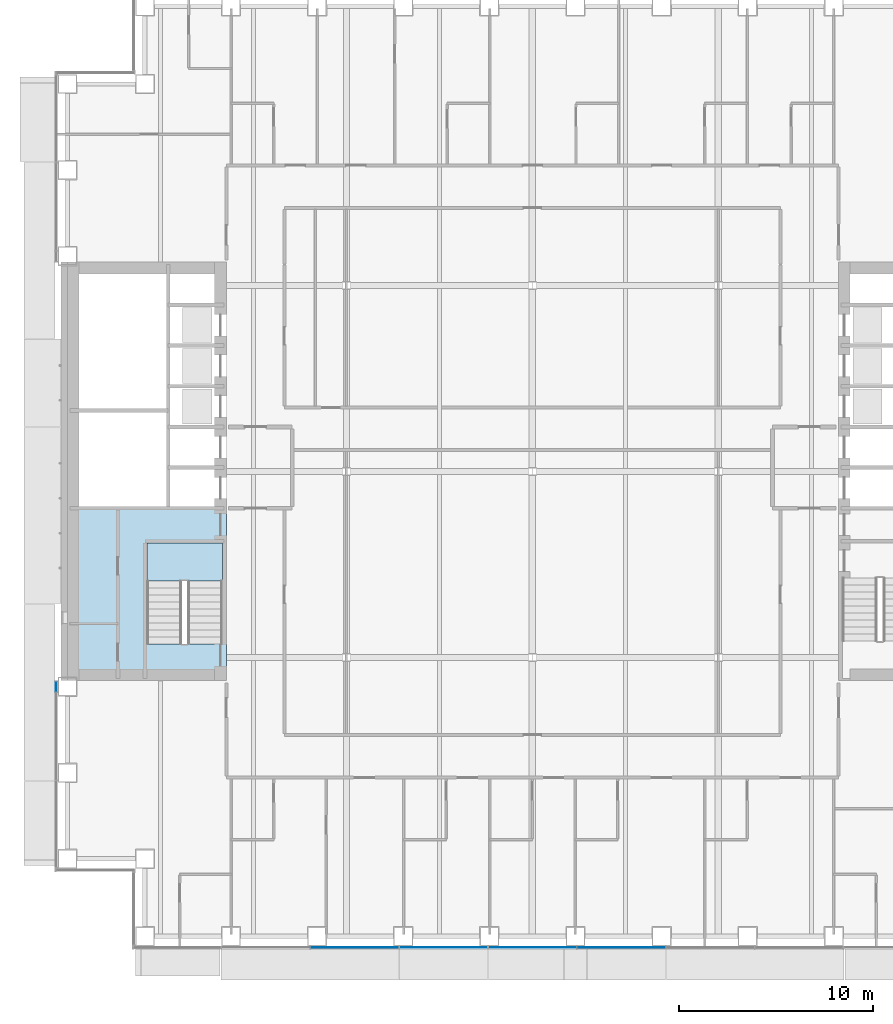
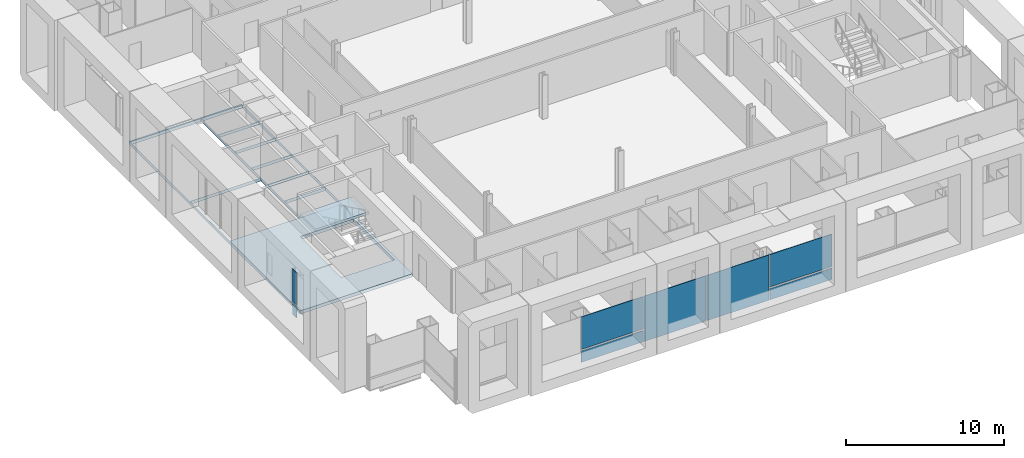
# One storey, part 11 of 25: 8 plates, 2 slabs, 3 elements without a shape of their own.
"""IFC4 building model written with IfcOpenShell, lengths in metres."""

from ifc_helpers import new_model, si_unit, direction, frame, origin, origin_2d, place, context, subcontext, project, spatial, polyline, rectangle, outline, extrude, material, layer, layer_set, type_object, element, aggregate, save


model = new_model("IFC4")

# Units and contexts
model_context = context("Model", 3, precision=1e-05, world=origin(), true_north=direction((0.0, 1.0)))
body_context = subcontext(model_context, "Body", "Model", "MODEL_VIEW")
ifc_project = project(units=[si_unit("LENGTHUNIT", "METRE"), si_unit("AREAUNIT", "SQUARE_METRE"), si_unit("VOLUMEUNIT", "CUBIC_METRE"), si_unit("PLANEANGLEUNIT", "RADIAN"), si_unit("MASSUNIT", "GRAM", prefix="KILO")], contexts=[model_context])

# Site, building, storey
site_placement = place(None, origin())
site = spatial("IfcSite", under=ifc_project, at=site_placement, CompositionType="ELEMENT")
building_placement = place(site_placement, origin())
building = spatial("IfcBuilding", under=site, at=building_placement, Name="Cobrizo Arcos Hotel Tower", CompositionType="ELEMENT")
storey_placement = place(building_placement, frame((0.0, 0.0, 46.0)))
storey = spatial("IfcBuildingStorey", under=building, at=storey_placement, Name="L09", CompositionType="ELEMENT", Elevation=46.0)

# Curtain wall, plates
ifc_material_1 = material(Name="Aluminium 6063-T6 anodised bronze", Category="aluminium")
curtain_wall_type = type_object("IfcCurtainWallType", Name="CW-A guest facade", PredefinedType="NOTDEFINED", material=ifc_material_1)
curtain_wall_1_placement = place(storey_placement, origin())
curtain_wall_1 = element("IfcCurtainWall", 1, at=curtain_wall_1_placement, inside=storey, type_object=curtain_wall_type, Name="CW-A L09 S face", PredefinedType="NOTDEFINED")
ifc_material_2 = material(Name="Glass clear laminated low-e", Category="glass")
ifc_layer_1 = layer(ifc_material_2, 0.0400390625)
ifc_layer_set_1 = layer_set([ifc_layer_1], Name="CW-A glass panel")
plate_type_1 = type_object("IfcPlateType", Name="CW-A glass panel", PredefinedType="CURTAIN_PANEL", material=ifc_layer_set_1)
plate_1_placement = place(storey_placement, frame((-9.177734375, -24.574951171875, 0.990234375), z_axis=(0.0, 0.0, 1.0), x_axis=(1.0, 0.0, 0.0)))
plate_1 = element("IfcPlate", 2, at=plate_1_placement, type_object=plate_type_1, Name="CW-A glass panel 439", PredefinedType="CURTAIN_PANEL", context=body_context, shape_type="SweptSolid", body=[
    extrude(rectangle(XDim=4.52880859375, YDim=0.0400390625, at=origin_2d()), origin(), (0.0, 0.0, 1.0), 2.510009765625),
])
plate_2_placement = place(storey_placement, frame((4.5888671875, -24.574951171875, 0.990234375), z_axis=(0.0, 0.0, 1.0), x_axis=(1.0, 0.0, 0.0)))
plate_2 = element("IfcPlate", 3, at=plate_2_placement, type_object=plate_type_1, Name="CW-A glass panel 442", PredefinedType="CURTAIN_PANEL", context=body_context, shape_type="SweptSolid", body=[
    extrude(rectangle(XDim=4.52880859375, YDim=0.0400390625, at=origin_2d()), origin(), (0.0, 0.0, 1.0), 2.510009765625),
])

# Curtain wall, plate
curtain_wall_2_placement = place(storey_placement, origin())
curtain_wall_2 = element("IfcCurtainWall", 4, at=curtain_wall_2_placement, inside=storey, type_object=curtain_wall_type, Name="CW-A L09 W face", PredefinedType="NOTDEFINED")
plate_3_placement = place(storey_placement, frame((-24.574951171875, -11.109375, 0.990234375), z_axis=(0.0, 0.0, 1.0), x_axis=(0.0, -1.0, 0.0)))
plate_3 = element("IfcPlate", 5, at=plate_3_placement, type_object=plate_type_1, Name="CW-A glass panel 470", PredefinedType="CURTAIN_PANEL", context=body_context, shape_type="SweptSolid", body=[
    extrude(rectangle(XDim=0.498779296875, YDim=0.0400390625, at=origin_2d()), origin(), (0.0, 0.0, 1.0), 2.510009765625),
])

# Plate
ifc_material_3 = material(Name="Aluminium composite panel pale metal", Category="aluminium")
ifc_layer_2 = layer(ifc_material_3, 0.0400390625)
ifc_layer_set_2 = layer_set([ifc_layer_2], Name="CW-A spandrel panel")
plate_type_2 = type_object("IfcPlateType", Name="CW-A spandrel panel", PredefinedType="CURTAIN_PANEL", material=ifc_layer_set_2)
plate_4_placement = place(storey_placement, frame((-9.177734375, -24.574951171875, 0.0), z_axis=(0.0, 0.0, 1.0), x_axis=(1.0, 0.0, 0.0)))
plate_4 = element("IfcPlate", 6, at=plate_4_placement, type_object=plate_type_2, Name="CW-A spandrel panel 439", PredefinedType="CURTAIN_PANEL", context=body_context, shape_type="SweptSolid", body=[
    extrude(rectangle(XDim=4.52880859375, YDim=0.0400390625, at=origin_2d()), origin(), (0.0, 0.0, 1.0), 0.8701171875),
])

plate_5_placement = place(storey_placement, frame((-4.5888671875, -24.574951171875, 0.0), z_axis=(0.0, 0.0, 1.0), x_axis=(1.0, 0.0, 0.0)))
plate_5 = element("IfcPlate", 7, at=plate_5_placement, type_object=plate_type_2, Name="CW-A spandrel panel 440", PredefinedType="CURTAIN_PANEL", context=body_context, shape_type="SweptSolid", body=[
    extrude(rectangle(XDim=4.52880859375, YDim=0.0400390625, at=origin_2d()), origin(), (0.0, 0.0, 1.0), 3.5),
])

plate_6_placement = place(storey_placement, frame((0.0, -24.574951171875, 0.0), z_axis=(0.0, 0.0, 1.0), x_axis=(1.0, 0.0, 0.0)))
plate_6 = element("IfcPlate", 8, at=plate_6_placement, type_object=plate_type_2, Name="CW-A spandrel panel 441", PredefinedType="CURTAIN_PANEL", context=body_context, shape_type="SweptSolid", body=[
    extrude(rectangle(XDim=4.52880859375, YDim=0.0400390625, at=origin_2d()), origin(), (0.0, 0.0, 1.0), 3.5),
])

plate_7_placement = place(storey_placement, frame((4.5888671875, -24.574951171875, 0.0), z_axis=(0.0, 0.0, 1.0), x_axis=(1.0, 0.0, 0.0)))
plate_7 = element("IfcPlate", 9, at=plate_7_placement, type_object=plate_type_2, Name="CW-A spandrel panel 442", PredefinedType="CURTAIN_PANEL", context=body_context, shape_type="SweptSolid", body=[
    extrude(rectangle(XDim=4.52880859375, YDim=0.0400390625, at=origin_2d()), origin(), (0.0, 0.0, 1.0), 0.8701171875),
])

aggregate(curtain_wall_1, [plate_4, plate_1, plate_5, plate_6, plate_7, plate_2])

plate_8_placement = place(storey_placement, frame((-24.574951171875, -11.109375, 0.0), z_axis=(0.0, 0.0, 1.0), x_axis=(0.0, -1.0, 0.0)))
plate_8 = element("IfcPlate", 10, at=plate_8_placement, type_object=plate_type_2, Name="CW-A spandrel panel 470", PredefinedType="CURTAIN_PANEL", context=body_context, shape_type="SweptSolid", body=[
    extrude(rectangle(XDim=0.498779296875, YDim=0.0400390625, at=origin_2d()), origin(), (0.0, 0.0, 1.0), 0.8701171875),
])

aggregate(curtain_wall_2, [plate_8, plate_3])

# Slab
ifc_material_4 = material(Name="Concrete f'c 60 MPa", Category="concrete")
ifc_layer_3 = layer(ifc_material_4, 0.25)
ifc_layer_set_3 = layer_set([ifc_layer_3], Name="RC core floor slab 250 f'c 60")
slab_type_1 = type_object("IfcSlabType", Name="RC core floor slab 250 f'c 60", PredefinedType="FLOOR", material=ifc_layer_set_3)
slab_1_placement = place(storey_placement, frame((0.0, 0.0, -0.25)))
element("IfcSlab", 11, at=slab_1_placement, inside=storey, type_object=slab_type_1, Name="Core floor slab CS3, west core, L09", PredefinedType="FLOOR", context=body_context, shape_type="SweptSolid", body=[
    extrude(outline(polyline([(-24.0, 10.800048828125), (-15.800048828125, 10.800048828125), (-15.800048828125, -10.800048828125), (-24.0, -10.800048828125), (-24.0, 10.800048828125)]), holes=[polyline([(-19.89794921875, -3.701904296875), (-19.89794921875, -8.89794921875), (-16.001953125, -8.89794921875), (-16.001953125, -3.701904296875), (-19.89794921875, -3.701904296875)]), polyline([(-15.802001953125, 0.197998046875), (-18.798095703125, 0.197998046875), (-18.798095703125, -1.89794921875), (-15.802001953125, -1.89794921875), (-15.802001953125, 0.197998046875)]), polyline([(-18.802001953125, 3.137939453125), (-23.998046875, 3.137939453125), (-23.998046875, -1.89794921875), (-18.802001953125, -1.89794921875), (-18.802001953125, 3.137939453125)]), polyline([(-15.802001953125, 2.298095703125), (-18.798095703125, 2.298095703125), (-18.798095703125, 0.201904296875), (-15.802001953125, 0.201904296875), (-15.802001953125, 2.298095703125)]), polyline([(-15.802001953125, 4.39794921875), (-18.798095703125, 4.39794921875), (-18.798095703125, 2.302001953125), (-15.802001953125, 2.302001953125), (-15.802001953125, 4.39794921875)]), polyline([(-15.802001953125, 6.498046875), (-18.798095703125, 6.498046875), (-18.798095703125, 4.402099609375), (-15.802001953125, 4.402099609375), (-15.802001953125, 6.498046875)]), polyline([(-18.802001953125, 10.697998046875), (-23.998046875, 10.697998046875), (-23.998046875, 3.14208984375), (-18.802001953125, 3.14208984375), (-18.802001953125, 10.697998046875)]), polyline([(-15.802001953125, 8.597900390625), (-18.798095703125, 8.597900390625), (-18.798095703125, 6.501953125), (-15.802001953125, 6.501953125), (-15.802001953125, 8.597900390625)]), polyline([(-15.802001953125, 10.697998046875), (-18.798095703125, 10.697998046875), (-18.798095703125, 8.60205078125), (-15.802001953125, 8.60205078125), (-15.802001953125, 10.697998046875)])]), origin(), (0.0, 0.0, 1.0), 0.25),
])

# Stair, slab
ifc_material_5 = material(Name="Concrete f'c 40 MPa", Category="concrete")
stair_type = type_object("IfcStairType", Name="Exit stair", PredefinedType="HALF_TURN_STAIR", material=ifc_material_5)
stair_placement = place(storey_placement, origin())
stair = element("IfcStair", 12, at=stair_placement, inside=storey, type_object=stair_type, Name="L09 Exit stair ST-W", PredefinedType="HALF_TURN_STAIR")
ifc_layer_4 = layer(ifc_material_5, 0.199951171875)
ifc_layer_set_4 = layer_set([ifc_layer_4], Name="Stair landing")
slab_type_2 = type_object("IfcSlabType", Name="Stair landing", PredefinedType="LANDING", material=ifc_layer_set_4)
slab_2_placement = place(storey_placement, frame((0.0, 0.0, 1.550048828125)))
slab_2 = element("IfcSlab", 13, at=slab_2_placement, type_object=slab_type_2, Name="ST-W landing 1", PredefinedType="LANDING", context=body_context, shape_type="SweptSolid", body=[
    extrude(outline(polyline([(-16.0, -5.659912109375), (-16.0, -3.699951171875), (-19.89990234375, -3.699951171875), (-19.89990234375, -5.659912109375), (-16.0, -5.659912109375)])), origin(), (0.0, 0.0, 1.0), 0.199951171875),
])
aggregate(stair, [slab_2])

save(model, "model.ifc")
